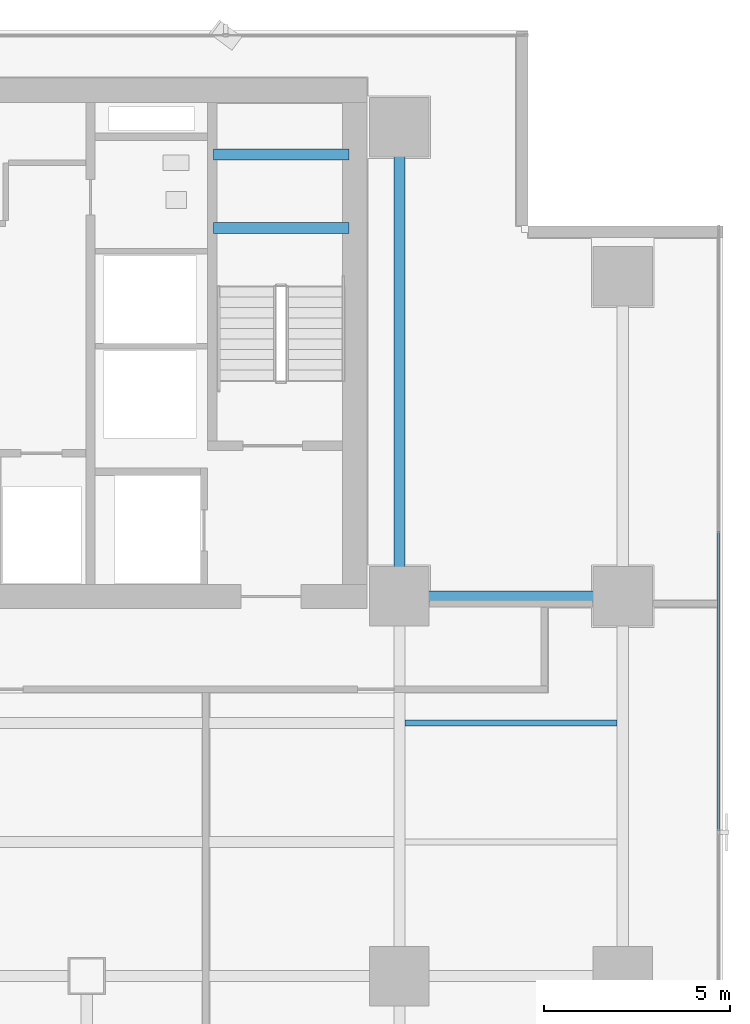
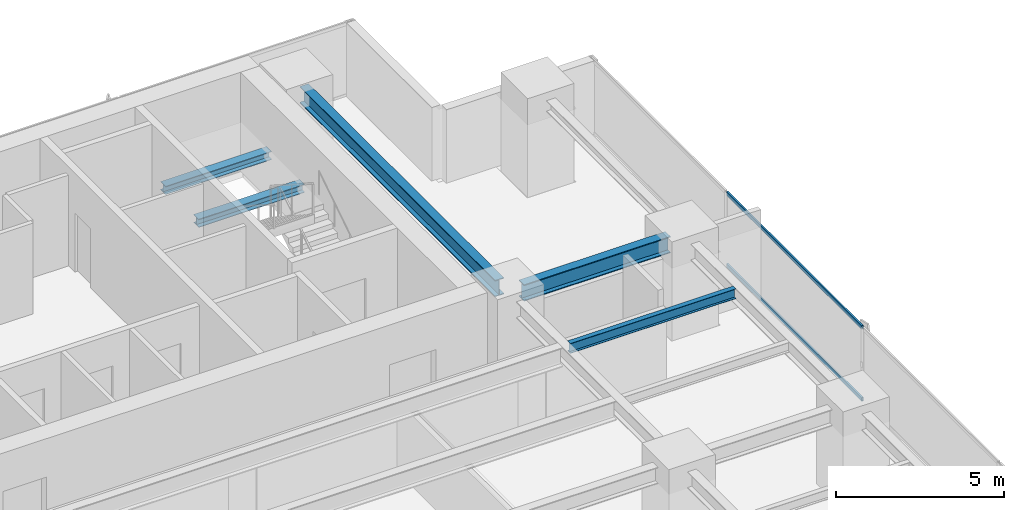
# One storey, part 23 of 36: 5 beams, 2 members, 1 element without a shape of its own.
"""IFC4 building model written with IfcOpenShell, lengths in metres."""

from ifc_helpers import new_model, si_unit, direction, frame, origin, origin_2d, place, context, subcontext, project, spatial, hollow_rectangle, i_section, extrude, source, transform, mapped, material, layer, layer_set, material_profile, profile_set, type_object, element, aggregate, save


model = new_model("IFC4")

# Units and contexts
model_context = context("Model", 3, precision=1e-05, world=origin(), true_north=direction((0.0, 1.0)))
body_context = subcontext(model_context, "Body", "Model", "MODEL_VIEW")
ifc_project = project(units=[si_unit("LENGTHUNIT", "METRE"), si_unit("AREAUNIT", "SQUARE_METRE"), si_unit("VOLUMEUNIT", "CUBIC_METRE"), si_unit("PLANEANGLEUNIT", "RADIAN"), si_unit("MASSUNIT", "GRAM", prefix="KILO")], contexts=[model_context])

# Site, building, storey
site_placement = place(None, origin())
site = spatial("IfcSite", under=ifc_project, at=site_placement, CompositionType="ELEMENT")
building_placement = place(site_placement, origin())
building = spatial("IfcBuilding", under=site, at=building_placement, Name="Sumidabori Civic Tower", CompositionType="ELEMENT")
storey_placement = place(building_placement, frame((0.0, 0.0, 120.800048828125)))
storey = spatial("IfcBuildingStorey", under=building, at=storey_placement, Name="L31", CompositionType="ELEMENT", Elevation=120.800048828125)

# Beams
ifc_material_1 = material(Name="Steel SN490", Category="steel")
ifc_material_profile_1 = material_profile(ifc_material_1, i_section(OverallWidth=0.300048828125, OverallDepth=0.300048828125, WebThickness=0.010986328125, FlangeThickness=0.01904296875, at=origin_2d()), Name="HE 300 B")
ifc_profile_set_1 = profile_set([ifc_material_profile_1], Name="Steel SN490")
beam_type_1 = type_object("IfcBeamType", Name="BM-LDG-300", PredefinedType="BEAM", material=ifc_profile_set_1)
shared_shape_1 = source(origin(), body_context, "Body", "SweptSolid", [
    extrude(i_section(OverallWidth=0.300048828125, OverallDepth=0.300048828125, WebThickness=0.010986328125, FlangeThickness=0.01904296875, at=origin_2d()), origin(), (0.0, 0.0, 1.0), 3.64990234375),
])
for number, where, z_axis, x_axis, name in (
    (1, (11.800048828125, 20.09765625, 1.449951171875), (1.0, 0.0, 0.0), (0.0, 1.0, 0.0), "Stair ST-2 Landing Support Beam L31-1A"),
    (2, (11.800048828125, 22.069580078125, 1.449951171875), (1.0, 0.0, 0.0), (0.0, 1.0, 0.0), "Stair ST-2 Landing Trimmer Beam L31-1B"),
):
    element("IfcBeam", number, at=place(storey_placement, frame(where, z_axis=z_axis, x_axis=x_axis)), inside=storey, type_object=beam_type_1, Name=name, PredefinedType="BEAM", context=body_context, shape_type="MappedRepresentation", body=[
        mapped(shared_shape_1, transform((0.0, 0.0, 0.0), x_axis=(1.0, 0.0, 0.0), y_axis=(0.0, 1.0, 0.0), z_axis=(0.0, 0.0, 1.0), scale=1.0)),
    ])
ifc_material_profile_2 = material_profile(ifc_material_1, i_section(OverallWidth=0.300048828125, OverallDepth=0.60009765625, WebThickness=0.015380859375, FlangeThickness=0.030029296875, at=origin_2d()), Name="HE 600 B")
ifc_profile_set_2 = profile_set([ifc_material_profile_2], Name="Steel SN490")
beam_type_2 = type_object("IfcBeamType", Name="BM-GIRD-600", PredefinedType="BEAM", material=ifc_profile_set_2)
shared_shape_2 = source(origin(), body_context, "Body", "SweptSolid", [
    extrude(i_section(OverallWidth=0.300048828125, OverallDepth=0.60009765625, WebThickness=0.015380859375, FlangeThickness=0.030029296875, at=origin_2d()), origin(), (0.0, 0.0, 1.0), 5.0400390625),
])
beam_1_placement = place(storey_placement, frame((17.280029296875, 10.199951171875, 3.0), z_axis=(1.0, 0.0, 0.0), x_axis=(0.0, 1.0, 0.0)))
element("IfcBeam", 3, at=beam_1_placement, inside=storey, type_object=beam_type_2, Name="Primary Girder L31 GX-20", PredefinedType="BEAM", context=body_context, shape_type="MappedRepresentation", body=[
    mapped(shared_shape_2, transform((0.0, 0.0, 0.0), x_axis=(1.0, 0.0, 0.0), y_axis=(0.0, 1.0, 0.0), z_axis=(0.0, 0.0, 1.0), scale=1.0)),
])
shared_shape_3 = source(origin(), body_context, "Body", "SweptSolid", [
    extrude(i_section(OverallWidth=0.300048828125, OverallDepth=0.60009765625, WebThickness=0.015380859375, FlangeThickness=0.030029296875, at=origin_2d()), origin(), (0.0, 0.0, 1.0), 11.64013671875),
])
beam_2_placement = place(storey_placement, frame((16.800048828125, 10.679931640625, 3.0), z_axis=(0.0, 1.0, 0.0), x_axis=(-1.0, 0.0, 0.0)))
element("IfcBeam", 4, at=beam_2_placement, inside=storey, type_object=beam_type_2, Name="Primary Girder L31 GY-38", PredefinedType="BEAM", context=body_context, shape_type="MappedRepresentation", body=[
    mapped(shared_shape_3, transform((0.0, 0.0, 0.0), x_axis=(1.0, 0.0, 0.0), y_axis=(0.0, 1.0, 0.0), z_axis=(0.0, 0.0, 1.0), scale=1.0)),
])
ifc_material_profile_3 = material_profile(ifc_material_1, i_section(OverallWidth=0.169921875, OverallDepth=0.360107421875, WebThickness=0.008056640625, FlangeThickness=0.0126953125, at=origin_2d()), Name="IPE 360")
ifc_profile_set_3 = profile_set([ifc_material_profile_3], Name="Steel SN490")
beam_type_3 = type_object("IfcBeamType", Name="BM-JST-360", PredefinedType="JOIST", material=ifc_profile_set_3)
shared_shape_4 = source(origin(), body_context, "Body", "SweptSolid", [
    extrude(i_section(OverallWidth=0.169921875, OverallDepth=0.360107421875, WebThickness=0.008056640625, FlangeThickness=0.0126953125, at=origin_2d()), origin(), (0.0, 0.0, 1.0), 5.699951171875),
])
beam_3_placement = place(storey_placement, frame((16.949951171875, 6.800048828125, 3.119873046875), z_axis=(1.0, 0.0, 0.0), x_axis=(0.0, 1.0, 0.0)))
element("IfcBeam", 5, at=beam_3_placement, inside=storey, type_object=beam_type_3, Name="Outer Bay Floor Joist L31 JSTO-50", PredefinedType="JOIST", context=body_context, shape_type="MappedRepresentation", body=[
    mapped(shared_shape_4, transform((0.0, 0.0, 0.0), x_axis=(1.0, 0.0, 0.0), y_axis=(0.0, 1.0, 0.0), z_axis=(0.0, 0.0, 1.0), scale=1.0)),
])

# Curtain wall, members
ifc_material_2 = material(Name="Anodised Bronze Aluminium AW-6063-T6", Category="aluminium")
ifc_layer = layer(ifc_material_2, 0.179931640625, Name="Anodised Bronze Aluminium AW-6063-T6")
ifc_layer_set = layer_set([ifc_layer], Name="Anodised Bronze Aluminium AW-6063-T6")
curtain_wall_type = type_object("IfcCurtainWallType", Name="CW-SYS-3", PredefinedType="NOTDEFINED", material=ifc_layer_set)
curtain_wall_placement = place(storey_placement, origin())
curtain_wall = element("IfcCurtainWall", 6, at=curtain_wall_placement, inside=storey, type_object=curtain_wall_type, Name="Curtain Wall CW:L31:R04", PredefinedType="NOTDEFINED")
ifc_material_profile_4 = material_profile(ifc_material_2, hollow_rectangle(XDim=0.06005859375, YDim=0.1298828125, WallThickness=0.0048828125, at=origin_2d()), Name="ALU TRANSOM 130x60")
ifc_profile_set_4 = profile_set([ifc_material_profile_4], Name="Anodised Bronze Aluminium AW-6063-T6")
member_type = type_object("IfcMemberType", Name="CW-TRN-130", PredefinedType="USERDEFINED", material=ifc_profile_set_4)
shared_shape_5 = source(origin(), body_context, "Body", "SweptSolid", [
    extrude(hollow_rectangle(XDim=0.06005859375, YDim=0.1298828125, WallThickness=0.0048828125, at=origin_2d()), origin(), (0.0, 0.0, 1.0), 8.06298828125),
])
member_1_placement = place(storey_placement, frame((25.3798828125, 3.896484375, 0.030029296875), z_axis=(0.0, 1.0, 0.0), x_axis=(-1.0, 0.0, 0.0)))
member_1 = element("IfcMember", 7, at=member_1_placement, type_object=member_type, Name="CW-3 transom 4.1", ObjectType="TRANSOM", PredefinedType="USERDEFINED", context=body_context, shape_type="MappedRepresentation", body=[
    mapped(shared_shape_5, transform((0.0, 0.0, 0.0), x_axis=(1.0, 0.0, 0.0), y_axis=(0.0, 1.0, 0.0), z_axis=(0.0, 0.0, 1.0), scale=1.0)),
])
member_2_placement = place(storey_placement, frame((25.3798828125, 3.896484375, 2.64990234375), z_axis=(0.0, 1.0, 0.0), x_axis=(-1.0, 0.0, 0.0)))
member_2 = element("IfcMember", 8, at=member_2_placement, type_object=member_type, Name="CW-3 transom 4.2", ObjectType="TRANSOM", PredefinedType="USERDEFINED", context=body_context, shape_type="MappedRepresentation", body=[
    mapped(shared_shape_5, transform((0.0, 0.0, 0.0), x_axis=(1.0, 0.0, 0.0), y_axis=(0.0, 1.0, 0.0), z_axis=(0.0, 0.0, 1.0), scale=1.0)),
])
aggregate(curtain_wall, [member_1, member_2])

save(model, "model.ifc")
